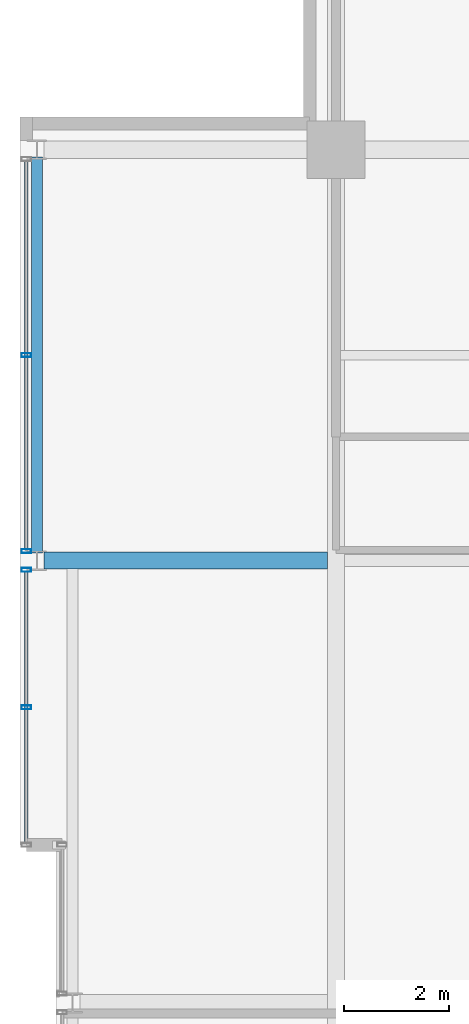
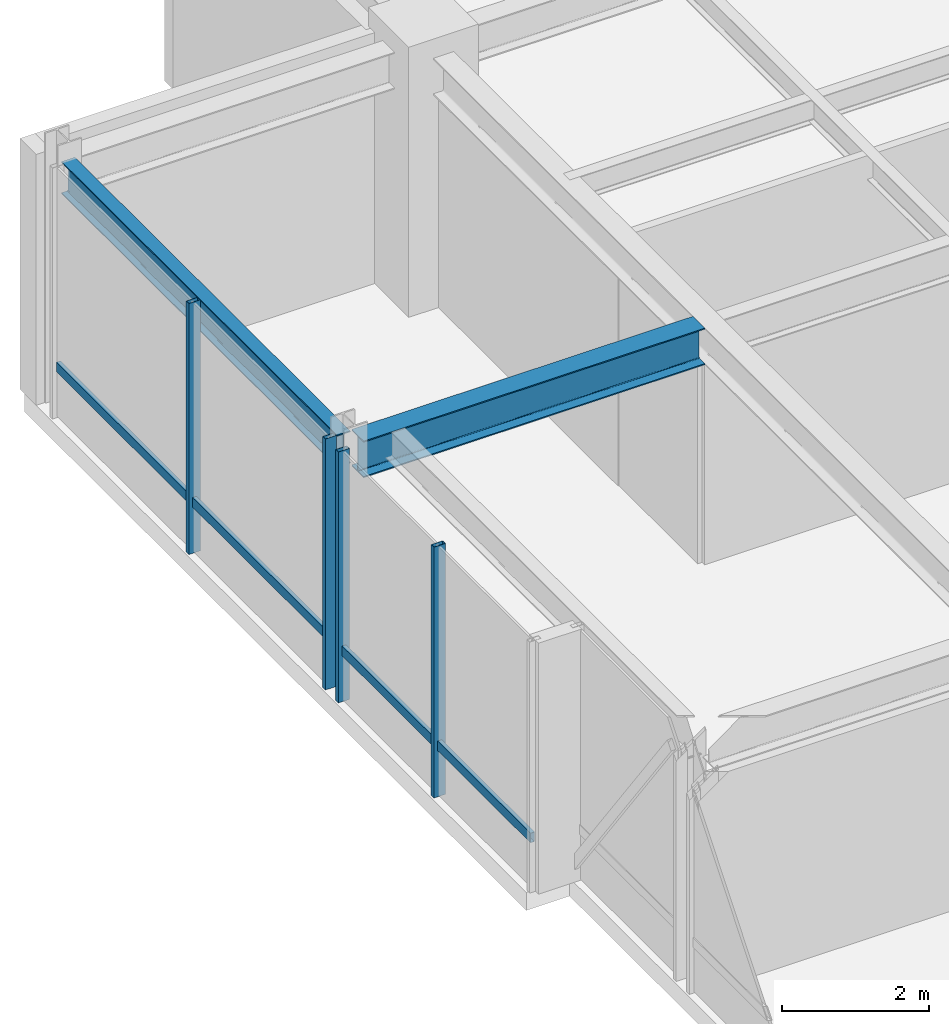
# One storey, part 18 of 32: 6 members, 2 beams, 2 elements without a shape of their own.
"""IFC4 building model written with IfcOpenShell, lengths in metres."""

from ifc_helpers import new_model, si_unit, direction, frame, origin, origin_2d, place, context, subcontext, project, spatial, hollow_rectangle, i_section, extrude, material, layer, layer_set, material_profile, profile_set, type_object, element, aggregate, save


model = new_model("IFC4")

# Units and contexts
model_context = context("Model", 3, precision=1e-05, world=origin(), true_north=direction((0.0, 1.0)))
body_context = subcontext(model_context, "Body", "Model", "MODEL_VIEW")
ifc_project = project(units=[si_unit("LENGTHUNIT", "METRE"), si_unit("AREAUNIT", "SQUARE_METRE"), si_unit("VOLUMEUNIT", "CUBIC_METRE"), si_unit("PLANEANGLEUNIT", "RADIAN"), si_unit("MASSUNIT", "GRAM", prefix="KILO")], contexts=[model_context])

# Site, building, storey
site_placement = place(None, origin())
site = spatial("IfcSite", under=ifc_project, at=site_placement, CompositionType="ELEMENT")
building_placement = place(site_placement, origin())
building = spatial("IfcBuilding", under=site, at=building_placement, Name="Drelvath Grand Hotel", CompositionType="ELEMENT")
storey_placement = place(building_placement, frame((0.0, 0.0, 255.5)))
storey = spatial("IfcBuildingStorey", under=building, at=storey_placement, Name="L67", CompositionType="ELEMENT", Elevation=255.5)

# Curtain wall, member
ifc_material_1 = material(Name="Platinum-Mist Anodised Aluminium Frame", Category="aluminium")
ifc_layer = layer(ifc_material_1, 0.199951171875)
ifc_layer_set = layer_set([ifc_layer], Name="Platinum-Mist Anodised Aluminium Frame")
curtain_wall_type = type_object("IfcCurtainWallType", Name="Stick Curtain Wall CW-05 Platinum Mist High-Rise", PredefinedType="NOTDEFINED", material=ifc_layer_set)
curtain_wall_1_placement = place(storey_placement, origin())
curtain_wall_1 = element("IfcCurtainWall", 1, at=curtain_wall_1_placement, inside=storey, type_object=curtain_wall_type, Name="L67 CW-05 Curtain Wall CW05-L67-WN1", PredefinedType="NOTDEFINED")
ifc_material_profile_1 = material_profile(ifc_material_1, hollow_rectangle(XDim=0.06494140625, YDim=0.159912109375, WallThickness=0.00390625, at=origin_2d()), Name="HSS160X65X4")
ifc_profile_set_1 = profile_set([ifc_material_profile_1], Name="Platinum-Mist Anodised Aluminium Frame")
member_type_1 = type_object("IfcMemberType", Name="Curtain Wall Horizontal Transom CW-05 HSS160X65X4", PredefinedType="USERDEFINED", material=ifc_profile_set_1)
member_1_placement = place(storey_placement, frame((-22.080078125, 30.0400390625, 0.85009765625), z_axis=(0.0, 1.0, 0.0), x_axis=(-1.0, 0.0, 0.0)))
member_1 = element("IfcMember", 2, at=member_1_placement, type_object=member_type_1, Name="CW05-L67-WN1 Sill Transom", ObjectType="TRANSOM", PredefinedType="USERDEFINED", context=body_context, shape_type="SweptSolid", body=[
    extrude(hollow_rectangle(XDim=0.06494140625, YDim=0.159912109375, WallThickness=0.00390625, at=origin_2d()), origin(), (0.0, 0.0, 1.0), 5.141845703125),
])

curtain_wall_2_placement = place(storey_placement, origin())
curtain_wall_2 = element("IfcCurtainWall", 3, at=curtain_wall_2_placement, inside=storey, type_object=curtain_wall_type, Name="L67 CW-05 Curtain Wall CW05-L67-WN2", PredefinedType="NOTDEFINED")
member_2_placement = place(storey_placement, frame((-22.080078125, 35.6181640625, 0.85009765625), z_axis=(0.0, 1.0, 0.0), x_axis=(-1.0, 0.0, 0.0)))
member_2 = element("IfcMember", 4, at=member_2_placement, type_object=member_type_1, Name="CW05-L67-WN2 Sill Transom", ObjectType="TRANSOM", PredefinedType="USERDEFINED", context=body_context, shape_type="SweptSolid", body=[
    extrude(hollow_rectangle(XDim=0.06494140625, YDim=0.159912109375, WallThickness=0.00390625, at=origin_2d()), origin(), (0.0, 0.0, 1.0), 7.363525390625),
])

# Member
ifc_material_profile_2 = material_profile(ifc_material_1, hollow_rectangle(XDim=0.074951171875, YDim=0.179931640625, WallThickness=0.0048828125, at=origin_2d()), Name="HSS180X75X5")
ifc_profile_set_2 = profile_set([ifc_material_profile_2], Name="Platinum-Mist Anodised Aluminium Frame")
member_type_2 = type_object("IfcMemberType", Name="Curtain Wall Vertical Mullion CW-05 HSS180X75X5", PredefinedType="MULLION", material=ifc_profile_set_2)
member_3_placement = place(storey_placement, frame((-22.080078125, 32.61083984375, 0.0), z_axis=(0.0, 0.0, 1.0), x_axis=(0.0, 1.0, 0.0)))
member_3 = element("IfcMember", 5, at=member_3_placement, type_object=member_type_2, Name="CW05-L67-WN1 Mullion 2", PredefinedType="MULLION", context=body_context, shape_type="SweptSolid", body=[
    extrude(hollow_rectangle(XDim=0.074951171875, YDim=0.179931640625, WallThickness=0.0048828125, at=origin_2d()), origin(), (0.0, 0.0, 1.0), 4.179931640625),
])

member_4_placement = place(storey_placement, frame((-22.080078125, 35.2216796875, 0.0), z_axis=(0.0, 0.0, 1.0), x_axis=(0.0, 1.0, 0.0)))
member_4 = element("IfcMember", 6, at=member_4_placement, type_object=member_type_2, Name="CW05-L67-WN1 Mullion 3", PredefinedType="MULLION", context=body_context, shape_type="SweptSolid", body=[
    extrude(hollow_rectangle(XDim=0.074951171875, YDim=0.179931640625, WallThickness=0.0048828125, at=origin_2d()), origin(), (0.0, 0.0, 1.0), 4.179931640625),
])

aggregate(curtain_wall_1, [member_3, member_4, member_1])

member_5_placement = place(storey_placement, frame((-22.080078125, 35.578125, 0.0), z_axis=(0.0, 0.0, 1.0), x_axis=(0.0, 1.0, 0.0)))
member_5 = element("IfcMember", 7, at=member_5_placement, type_object=member_type_2, Name="CW05-L67-WN2 Mullion 1", PredefinedType="MULLION", context=body_context, shape_type="SweptSolid", body=[
    extrude(hollow_rectangle(XDim=0.074951171875, YDim=0.179931640625, WallThickness=0.0048828125, at=origin_2d()), origin(), (0.0, 0.0, 1.0), 4.179931640625),
])

member_6_placement = place(storey_placement, frame((-22.080078125, 39.300048828125, 0.0), z_axis=(0.0, 0.0, 1.0), x_axis=(0.0, 1.0, 0.0)))
member_6 = element("IfcMember", 8, at=member_6_placement, type_object=member_type_2, Name="CW05-L67-WN2 Mullion 2", PredefinedType="MULLION", context=body_context, shape_type="SweptSolid", body=[
    extrude(hollow_rectangle(XDim=0.074951171875, YDim=0.179931640625, WallThickness=0.0048828125, at=origin_2d()), origin(), (0.0, 0.0, 1.0), 4.179931640625),
])

aggregate(curtain_wall_2, [member_5, member_6, member_2])

# Beams
ifc_material_2 = material(Name="Steel ASTM A992 Gr 50", Category="steel")
ifc_material_profile_3 = material_profile(ifc_material_2, i_section(OverallWidth=0.210205078125, OverallDepth=0.53662109375, WebThickness=0.010986328125, FlangeThickness=0.017333984375, FilletRadius=0.01806640625, at=origin_2d()), Name="W21X68")
ifc_profile_set_3 = profile_set([ifc_material_profile_3], Name="Steel ASTM A992 Gr 50")
beam_type_1 = type_object("IfcBeamType", Name="Perimeter Spandrel Beam W21X68", PredefinedType="SPANDREL", material=ifc_profile_set_3)
beam_1_placement = place(storey_placement, frame((-21.8798828125, 35.5400390625, 3.91162109375), z_axis=(0.0, 1.0, 0.0), x_axis=(-1.0, 0.0, 0.0)))
element("IfcBeam", 9, at=beam_1_placement, inside=storey, type_object=beam_type_1, Name="L67 Spandrel West N", PredefinedType="SPANDREL", context=body_context, shape_type="SweptSolid", body=[
    extrude(i_section(OverallWidth=0.210205078125, OverallDepth=0.53662109375, WebThickness=0.010986328125, FlangeThickness=0.017333984375, FilletRadius=0.01806640625, at=origin_2d()), origin(), (0.0, 0.0, 1.0), 7.52001953125),
])
ifc_material_profile_4 = material_profile(ifc_material_2, i_section(OverallWidth=0.323974609375, OverallDepth=0.611083984375, WebThickness=0.0126953125, FlangeThickness=0.01904296875, FilletRadius=0.02197265625, at=origin_2d()), Name="W24X104")
ifc_profile_set_4 = profile_set([ifc_material_profile_4], Name="Steel ASTM A992 Gr 50")
beam_type_2 = type_object("IfcBeamType", Name="Primary Floor Girder W24X104", PredefinedType="BEAM", material=ifc_profile_set_4)
beam_2_placement = place(storey_placement, frame((-21.739990234375, 35.39990234375, 3.87451171875), z_axis=(1.0, 0.0, 0.0), x_axis=(0.0, 1.0, 0.0)))
element("IfcBeam", 10, at=beam_2_placement, inside=storey, type_object=beam_type_2, Name="L67 West Wing Girder F", PredefinedType="BEAM", context=body_context, shape_type="SweptSolid", body=[
    extrude(i_section(OverallWidth=0.323974609375, OverallDepth=0.611083984375, WebThickness=0.0126953125, FlangeThickness=0.01904296875, FilletRadius=0.02197265625, at=origin_2d()), origin(), (0.0, 0.0, 1.0), 5.3779296875),
])

save(model, "model.ifc")
